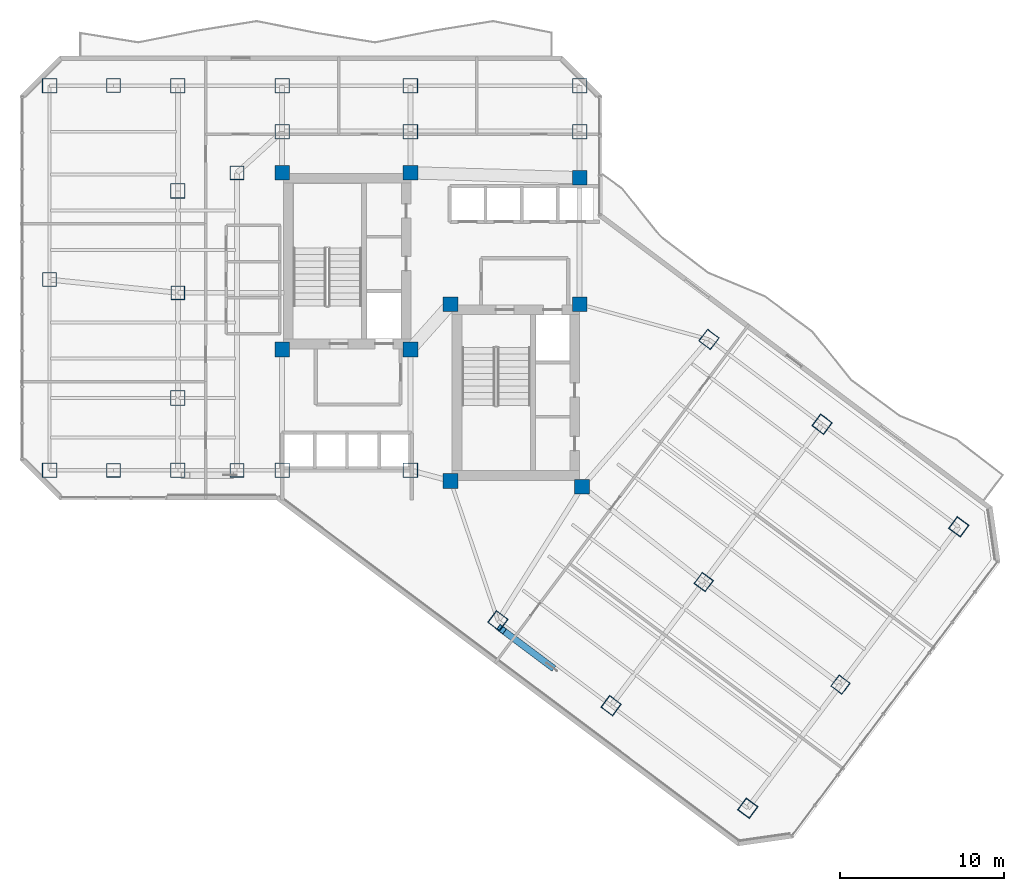
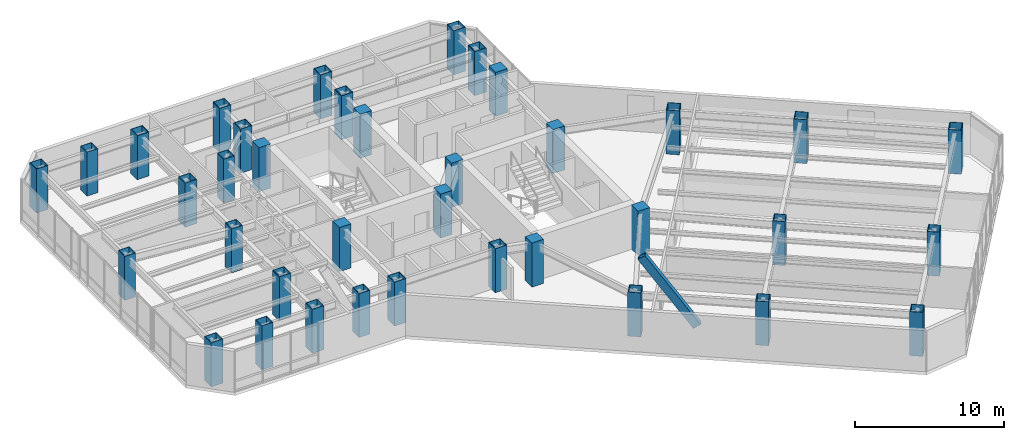
# One storey, part 1 of 30: 37 columns, 1 member.
"""IFC4 building model written with IfcOpenShell, lengths in metres."""

from ifc_helpers import new_model, si_unit, direction, frame, origin, origin_2d, place, context, subcontext, project, spatial, rectangle, hollow_rectangle, extrude, material, material_profile, profile_set, type_object, element, save


model = new_model("IFC4")

# Units and contexts
model_context = context("Model", 3, precision=1e-05, world=origin(), true_north=direction((0.0, 1.0)))
body_context = subcontext(model_context, "Body", "Model", "MODEL_VIEW")
ifc_project = project(units=[si_unit("LENGTHUNIT", "METRE"), si_unit("AREAUNIT", "SQUARE_METRE"), si_unit("VOLUMEUNIT", "CUBIC_METRE"), si_unit("PLANEANGLEUNIT", "RADIAN"), si_unit("MASSUNIT", "GRAM", prefix="KILO")], contexts=[model_context])

# Site, building, storey
site_placement = place(None, origin())
site = spatial("IfcSite", under=ifc_project, at=site_placement, CompositionType="ELEMENT")
building_placement = place(site_placement, origin())
building = spatial("IfcBuilding", under=site, at=building_placement, Name="Hatsunagi Terrace Concourse", CompositionType="ELEMENT")
storey_placement = place(building_placement, frame((0.0, 0.0, 101.25)))
storey = spatial("IfcBuildingStorey", under=building, at=storey_placement, Name="L26", CompositionType="ELEMENT", Elevation=101.25)

# Columns
ifc_material_1 = material(Name="Concrete Fc48", Category="concrete")
ifc_material_profile_1 = material_profile(ifc_material_1, rectangle(XDim=0.89990234375, YDim=0.89990234375, at=origin_2d()), Name="RC-900x900")
ifc_profile_set_1 = profile_set([ifc_material_profile_1], Name="Concrete Fc48")
column_type_1 = type_object("IfcColumnType", Name="CoreColumn_RC_900x900", PredefinedType="COLUMN", material=ifc_profile_set_1)
for number, where, z_axis, x_axis, name in (
    (1, (25.550048828125, 32.550048828125, 0.0), (0.0, 0.0, 1.0), (1.0, 0.0, 0.0), "Column C-02 L26-CASW"),
    (2, (33.35009765625, 32.550048828125, 0.0), (0.0, 0.0, 1.0), (1.0, 0.0, 0.0), "Column C-02 L26-CASE"),
    (3, (25.550048828125, 43.300048828125, 0.0), (0.0, 0.0, 1.0), (1.0, 0.0, 0.0), "Column C-02 L26-CANW"),
    (4, (33.35009765625, 43.300048828125, 0.0), (0.0, 0.0, 1.0), (1.0, 0.0, 0.0), "Column C-02 L26-CANE"),
    (5, (35.800048828125, 24.550048828125, 0.0), (0.0, 0.0, 1.0), (1.0, 0.0, 0.0), "Column C-02 L26-CBSW"),
    (6, (43.800048828125, 24.199951171875, 0.0), (0.0, 0.0, 1.0), (1.0, 0.0, 0.0), "Column C-02 L26-CBSE"),
    (7, (35.800048828125, 35.300048828125, 0.0), (0.0, 0.0, 1.0), (1.0, 0.0, 0.0), "Column C-02 L26-CBNW"),
    (8, (43.64990234375, 35.300048828125, 0.0), (0.0, 0.0, 1.0), (1.0, 0.0, 0.0), "Column C-02 L26-CBNE"),
    (9, (43.64990234375, 43.0, 0.0), (0.0, 0.0, 1.0), (1.0, 0.0, 0.0), "Column C-02 L26-K3"),
):
    element("IfcColumn", number, at=place(storey_placement, frame(where, z_axis=z_axis, x_axis=x_axis)), inside=storey, type_object=column_type_1, Name=name, PredefinedType="COLUMN", context=body_context, shape_type="SweptSolid", body=[
        extrude(rectangle(XDim=0.89990234375, YDim=0.89990234375, at=origin_2d()), origin(), (0.0, 0.0, 1.0), 3.60009765625),
    ])
ifc_material_2 = material(Name="Steel BCP325T", Category="steel")
ifc_material_profile_2 = material_profile(ifc_material_2, hollow_rectangle(XDim=0.85009765625, YDim=0.85009765625, WallThickness=0.031982421875, at=origin_2d()), Name="BCP-850x850x32")
ifc_profile_set_2 = profile_set([ifc_material_profile_2], Name="Steel BCP325T")
column_type_2 = type_object("IfcColumnType", Name="TowerBoxColumn_850x850x32", PredefinedType="COLUMN", material=ifc_profile_set_2)
for number, where, z_axis, x_axis, name in (
    (10, (22.800048828125, 25.199951171875, 0.0), (0.0, 0.0, 1.0), (1.0, 0.0, 0.0), "Column C-05 L26-CW1"),
    (11, (22.800048828125, 43.300048828125, 0.0), (0.0, 0.0, 1.0), (1.0, 0.0, 0.0), "Column C-05 L26-CW2"),
    (12, (11.39990234375, 36.800048828125, 0.0), (0.0, 0.0, 1.0), (1.0, 0.0, 0.0), "Column C-05 L26-WT1"),
    (13, (19.199951171875, 36.0, 0.0), (0.0, 0.0, 1.0), (1.0, 0.0, 0.0), "Column C-05 L26-WT2"),
    (14, (15.300048828125, 25.199951171875, 0.0), (0.0, 0.0, 1.0), (1.0, 0.0, 0.0), "Column C-05 L26-WT3"),
    (15, (15.300048828125, 48.60009765625, 0.0), (0.0, 0.0, 1.0), (1.0, 0.0, 0.0), "Column C-05 L26-WT4"),
    (16, (51.199951171875, 18.39990234375, 0.0), (0.0, 0.0, 1.0), (0.799999996291, -0.600000004945, 0.0), "Column C-05 L26-SEM2"),
    (17, (59.52001953125, 12.159912109375, 0.0), (0.0, 0.0, 1.0), (0.799999996291, -0.600000004945, 0.0), "Column C-05 L26-SEM3"),
):
    element("IfcColumn", number, at=place(storey_placement, frame(where, z_axis=z_axis, x_axis=x_axis)), inside=storey, type_object=column_type_2, Name=name, PredefinedType="COLUMN", context=body_context, shape_type="SweptSolid", body=[
        extrude(hollow_rectangle(XDim=0.85009765625, YDim=0.85009765625, WallThickness=0.031982421875, at=origin_2d()), origin(), (0.0, 0.0, 1.0), 3.60009765625),
    ])
ifc_material_3 = material(Name="Steel BCP325T", Category="steel")
ifc_material_profile_3 = material_profile(ifc_material_3, hollow_rectangle(XDim=0.89990234375, YDim=0.89990234375, WallThickness=0.035888671875, at=origin_2d()), Name="BCP-900x900x36")
ifc_profile_set_3 = profile_set([ifc_material_profile_3], Name="Steel BCP325T")
column_type_3 = type_object("IfcColumnType", Name="TowerBoxColumn_900x900x36", PredefinedType="COLUMN", material=ifc_profile_set_3)
for number, where, z_axis, x_axis, name in (
    (18, (25.550048828125, 25.199951171875, 0.0), (0.0, 0.0, 1.0), (1.0, 0.0, 0.0), "Column C-04 L26-K1"),
    (19, (33.35009765625, 25.199951171875, 0.0), (0.0, 0.0, 1.0), (1.0, 0.0, 0.0), "Column C-04 L26-K2"),
    (20, (25.550048828125, 45.800048828125, 0.0), (0.0, 0.0, 1.0), (1.0, 0.0, 0.0), "Column C-04 L26-CN1"),
    (21, (33.35009765625, 45.800048828125, 0.0), (0.0, 0.0, 1.0), (1.0, 0.0, 0.0), "Column C-04 L26-CN2"),
    (22, (43.64990234375, 45.800048828125, 0.0), (0.0, 0.0, 1.0), (1.0, 0.0, 0.0), "Column C-04 L26-CN3"),
    (23, (11.39990234375, 25.199951171875, 0.0), (0.0, 0.0, 1.0), (1.0, 0.0, 0.0), "Column C-04 L26-WS2"),
    (24, (11.39990234375, 48.60009765625, 0.0), (0.0, 0.0, 1.0), (1.0, 0.0, 0.0), "Column C-04 L26-WN2"),
    (25, (19.199951171875, 48.60009765625, 0.0), (0.0, 0.0, 1.0), (1.0, 0.0, 0.0), "Column C-04 L26-WN3"),
    (26, (25.550048828125, 48.60009765625, 0.0), (0.0, 0.0, 1.0), (1.0, 0.0, 0.0), "Column C-04 L26-WN4"),
    (27, (33.35009765625, 48.60009765625, 0.0), (0.0, 0.0, 1.0), (1.0, 0.0, 0.0), "Column C-04 L26-WN5"),
    (28, (43.64990234375, 48.60009765625, 0.0), (0.0, 0.0, 1.0), (1.0, 0.0, 0.0), "Column C-04 L26-WN6"),
    (29, (19.199951171875, 25.199951171875, 0.0), (0.0, 0.0, 1.0), (1.0, 0.0, 0.0), "Column C-04 L26-WS3"),
    (30, (19.199951171875, 29.60009765625, 0.0), (0.0, 0.0, 1.0), (1.0, 0.0, 0.0), "Column C-04 L26-WR1"),
    (31, (19.199951171875, 42.199951171875, 0.0), (0.0, 0.0, 1.0), (1.0, 0.0, 0.0), "Column C-04 L26-WR2"),
    (32, (38.679931640625, 16.0400390625, 0.0), (0.0, 0.0, 1.0), (0.799999996291, -0.600000004945, 0.0), "Column C-04 L26-SES1"),
    (33, (51.52001953125, 33.159912109375, 0.0), (0.0, 0.0, 1.0), (0.799999996291, -0.600000004945, 0.0), "Column C-04 L26-SEN1"),
    (34, (45.56005859375, 10.8798828125, 0.0), (0.0, 0.0, 1.0), (0.799999996291, -0.600000004945, 0.0), "Column C-04 L26-SES2"),
    (35, (58.39990234375, 28.0, 0.0), (0.0, 0.0, 1.0), (0.799999996291, -0.600000004945, 0.0), "Column C-04 L26-SEN2"),
    (36, (53.8798828125, 4.639892578125, 0.0), (0.0, 0.0, 1.0), (0.799999996291, -0.600000004945, 0.0), "Column C-04 L26-SES3"),
    (37, (66.719970703125, 21.760009765625, 0.0), (0.0, 0.0, 1.0), (0.799999996291, -0.600000004945, 0.0), "Column C-04 L26-SEN3"),
):
    element("IfcColumn", number, at=place(storey_placement, frame(where, z_axis=z_axis, x_axis=x_axis)), inside=storey, type_object=column_type_3, Name=name, PredefinedType="COLUMN", context=body_context, shape_type="SweptSolid", body=[
        extrude(hollow_rectangle(XDim=0.89990234375, YDim=0.89990234375, WallThickness=0.035888671875, at=origin_2d()), origin(), (0.0, 0.0, 1.0), 3.60009765625),
    ])

# Member
ifc_material_4 = material(Name="Steel SN490B", Category="steel")
ifc_material_profile_4 = material_profile(ifc_material_4, hollow_rectangle(XDim=0.39990234375, YDim=0.60009765625, WallThickness=0.02490234375, at=origin_2d()), Name="RHS-600x400x25")
ifc_profile_set_4 = profile_set([ifc_material_profile_4], Name="Steel SN490B")
member_type = type_object("IfcMemberType", Name="PerimeterXBrace_Mid_RHS_600x400x25", PredefinedType="BRACE", material=ifc_profile_set_4)
member_placement = place(storey_placement, frame((38.89208984375, 15.531005859375, 6.510009765625), z_axis=(0.460420921248, -0.34534383173, -0.817771492021), x_axis=(0.600031291916, 0.799976530107, 0.0)))
element("IfcMember", 38, at=member_placement, inside=storey, type_object=member_type, Name="Perimeter X-Brace Split Upper XB-02 XB-L25-SEB1", PredefinedType="BRACE", context=body_context, shape_type="SweptSolid", body=[
    extrude(hollow_rectangle(XDim=0.39990234375, YDim=0.60009765625, WallThickness=0.02490234375, at=origin_2d()), origin(), (0.0, 0.0, 1.0), 6.5068359375),
])

save(model, "model.ifc")
